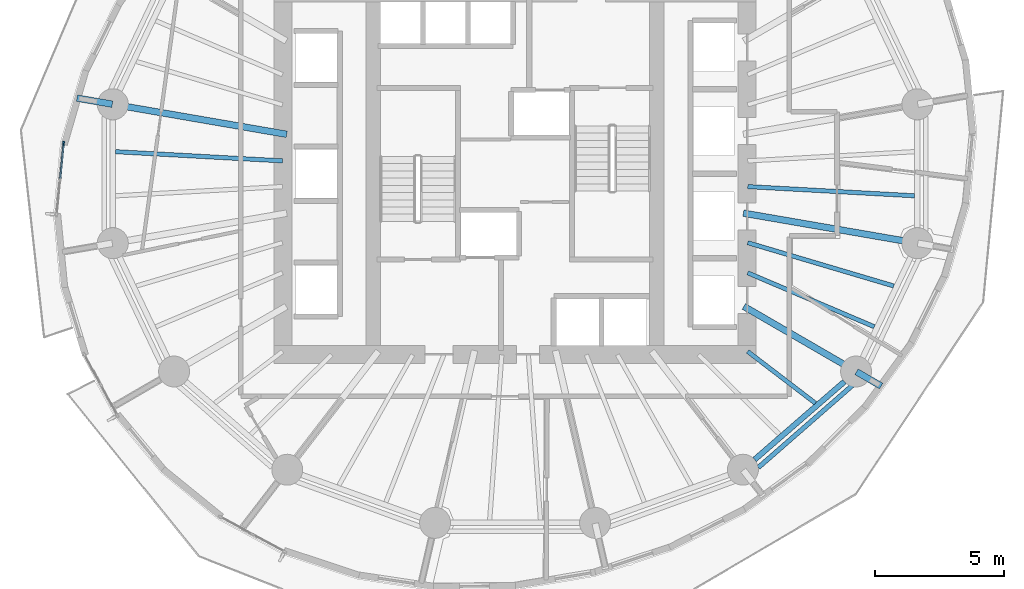
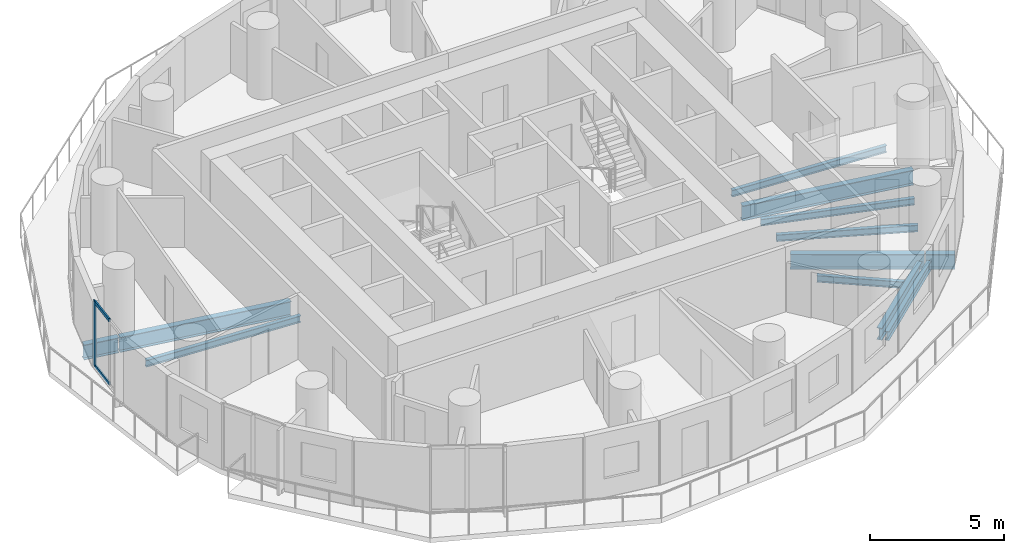
# One storey, part 3 of 14: 12 beams, 3 members, 1 element without a shape of its own.
"""IFC4 building model written with IfcOpenShell, lengths in metres."""

from ifc_helpers import new_model, si_unit, direction, frame, origin, origin_2d, place, context, subcontext, project, spatial, rectangle, i_section, extrude, material, material_profile, profile_set, type_object, element, aggregate, save


model = new_model("IFC4")

# Units and contexts
model_context = context("Model", 3, precision=1e-05, world=origin(), true_north=direction((0.0, 1.0)))
body_context = subcontext(model_context, "Body", "Model", "MODEL_VIEW")
ifc_project = project(units=[si_unit("LENGTHUNIT", "METRE"), si_unit("AREAUNIT", "SQUARE_METRE"), si_unit("VOLUMEUNIT", "CUBIC_METRE"), si_unit("PLANEANGLEUNIT", "RADIAN"), si_unit("MASSUNIT", "GRAM", prefix="KILO")], contexts=[model_context])

# Site, building, storey
site_placement = place(None, origin())
site = spatial("IfcSite", under=ifc_project, at=site_placement, CompositionType="ELEMENT")
building_placement = place(site_placement, origin())
building = spatial("IfcBuilding", under=site, at=building_placement, Name="Veldorim Arch Residences", CompositionType="ELEMENT")
storey_placement = place(building_placement, frame((0.0, 0.0, 96.47998046875)))
storey = spatial("IfcBuildingStorey", under=building, at=storey_placement, Name="L28", CompositionType="ELEMENT", Elevation=96.47998046875)

# Beams
ifc_material_1 = material(Name="Steel S355", Category="steel")
ifc_material_profile_1 = material_profile(ifc_material_1, i_section(OverallWidth=0.2119140625, OverallDepth=0.54443359375, WebThickness=0.0126953125, FlangeThickness=0.021240234375, at=origin_2d()), Name="UB533x210x122")
ifc_profile_set_1 = profile_set([ifc_material_profile_1], Name="Steel S355")
beam_type_1 = type_object("IfcBeamType", Name="Structural Steel Beam UB533x210x122", PredefinedType="BEAM", material=ifc_profile_set_1)
beam_1_placement = place(storey_placement, frame((41.28662109375, 12.9189453125, -0.51220703125), z_axis=(0.755244952556, 0.655442645576, 0.0), x_axis=(-0.655442645576, 0.755244952556, 0.0)))
element("IfcBeam", 1, at=beam_1_placement, inside=storey, type_object=beam_type_1, Name="L28 perimeter ring tie beam 14", PredefinedType="BEAM", context=body_context, shape_type="SweptSolid", body=[
    extrude(i_section(OverallWidth=0.2119140625, OverallDepth=0.54443359375, WebThickness=0.0126953125, FlangeThickness=0.021240234375, at=origin_2d()), origin(), (0.0, 0.0, 1.0), 4.608642578125),
])
ifc_material_2 = material(Name="Steel S355", Category="steel")
ifc_material_profile_2 = material_profile(ifc_material_2, i_section(OverallWidth=0.25439453125, OverallDepth=0.6875, WebThickness=0.01318359375, FlangeThickness=0.02099609375, at=origin_2d()), Name="UB686x254x152")
ifc_profile_set_2 = profile_set([ifc_material_profile_2], Name="Steel S355")
beam_type_2 = type_object("IfcBeamType", Name="Structural Steel GIRDER UB686x254x152", PredefinedType="USERDEFINED", material=ifc_profile_set_2)
beam_2_placement = place(storey_placement, frame((23.147705078125, 25.5283203125, -0.583740234375), z_axis=(-0.985426622718, 0.17010106184, 0.0), x_axis=(-0.17010106184, -0.985426622718, 0.0)))
element("IfcBeam", 2, at=beam_2_placement, inside=storey, type_object=beam_type_2, Name="L28 radial floor girder 08", ObjectType="GIRDER", PredefinedType="USERDEFINED", context=body_context, shape_type="SweptSolid", body=[
    extrude(i_section(OverallWidth=0.25439453125, OverallDepth=0.6875, WebThickness=0.01318359375, FlangeThickness=0.02099609375, at=origin_2d()), origin(), (0.0, 0.0, 1.0), 6.82177734375),
])
beam_3_placement = place(storey_placement, frame((16.3857421875, 26.695556640625, -0.583740234375), z_axis=(-0.985409418186, 0.170200700791, 0.0), x_axis=(-0.170200700791, -0.985409418186, 0.0)))
element("IfcBeam", 3, at=beam_3_placement, inside=storey, type_object=beam_type_2, Name="L28 radial edge cantilever girder 08", ObjectType="GIRDER", PredefinedType="USERDEFINED", context=body_context, shape_type="SweptSolid", body=[
    extrude(i_section(OverallWidth=0.25439453125, OverallDepth=0.6875, WebThickness=0.01318359375, FlangeThickness=0.02099609375, at=origin_2d()), origin(), (0.0, 0.0, 1.0), 1.391357421875),
])
beam_4_placement = place(storey_placement, frame((40.8701171875, 18.85595703125, -0.583740234375), z_axis=(0.865048957682, -0.501687453314, 0.0), x_axis=(0.501687453314, 0.865048957682, 0.0)))
element("IfcBeam", 4, at=beam_4_placement, inside=storey, type_object=beam_type_2, Name="L28 radial floor girder 15", ObjectType="GIRDER", PredefinedType="USERDEFINED", context=body_context, shape_type="SweptSolid", body=[
    extrude(i_section(OverallWidth=0.25439453125, OverallDepth=0.6875, WebThickness=0.01318359375, FlangeThickness=0.02099609375, at=origin_2d()), origin(), (0.0, 0.0, 1.0), 5.009033203125),
])
beam_5_placement = place(storey_placement, frame((45.23779296875, 16.322998046875, -0.583740234375), z_axis=(0.86508299699, -0.501628755474, 0.0), x_axis=(0.501628755474, 0.86508299699, 0.0)))
element("IfcBeam", 5, at=beam_5_placement, inside=storey, type_object=beam_type_2, Name="L28 radial edge cantilever girder 15", ObjectType="GIRDER", PredefinedType="USERDEFINED", context=body_context, shape_type="SweptSolid", body=[
    extrude(i_section(OverallWidth=0.25439453125, OverallDepth=0.6875, WebThickness=0.01318359375, FlangeThickness=0.02099609375, at=origin_2d()), origin(), (0.0, 0.0, 1.0), 1.104248046875),
])
beam_6_placement = place(storey_placement, frame((40.852294921875, 22.4716796875, -0.583740234375), z_axis=(0.985426622718, -0.17010106184, 0.0), x_axis=(0.17010106184, 0.985426622718, 0.0)))
element("IfcBeam", 6, at=beam_6_placement, inside=storey, type_object=beam_type_2, Name="L28 radial floor girder 16", ObjectType="GIRDER", PredefinedType="USERDEFINED", context=body_context, shape_type="SweptSolid", body=[
    extrude(i_section(OverallWidth=0.25439453125, OverallDepth=0.6875, WebThickness=0.01318359375, FlangeThickness=0.02099609375, at=origin_2d()), origin(), (0.0, 0.0, 1.0), 6.82177734375),
])
ifc_material_3 = material(Name="Steel S355", Category="steel")
ifc_material_profile_3 = material_profile(ifc_material_3, i_section(OverallWidth=0.165771484375, OverallDepth=0.306640625, WebThickness=0.006591796875, FlangeThickness=0.01171875, at=origin_2d()), Name="UB305x165x46")
ifc_profile_set_3 = profile_set([ifc_material_profile_3], Name="Steel S355")
beam_type_3 = type_object("IfcBeamType", Name="Structural Steel Joist UB305x165x46", PredefinedType="JOIST", material=ifc_profile_set_3)
beam_7_placement = place(storey_placement, frame((22.97998046875, 24.498291015625, -0.393310546875), z_axis=(-0.99847713097, 0.055167190702, 0.0), x_axis=(-0.055167190702, -0.99847713097, 0.0)))
element("IfcBeam", 7, at=beam_7_placement, inside=storey, type_object=beam_type_3, Name="L28 secondary radial floor joist 08-1", PredefinedType="JOIST", context=body_context, shape_type="SweptSolid", body=[
    extrude(i_section(OverallWidth=0.165771484375, OverallDepth=0.306640625, WebThickness=0.006591796875, FlangeThickness=0.01171875, at=origin_2d()), origin(), (0.0, 0.0, 1.0), 6.474365234375),
])
beam_8_placement = place(storey_placement, frame((41.015869140625, 17.111572265625, -0.393310546875), z_axis=(0.794594763594, -0.60714014994, 0.0), x_axis=(0.60714014994, 0.794594763594, 0.0)))
element("IfcBeam", 8, at=beam_8_placement, inside=storey, type_object=beam_type_3, Name="L28 secondary radial floor joist 14-2", PredefinedType="JOIST", context=body_context, shape_type="SweptSolid", body=[
    extrude(i_section(OverallWidth=0.165771484375, OverallDepth=0.306640625, WebThickness=0.006591796875, FlangeThickness=0.01171875, at=origin_2d()), origin(), (0.0, 0.0, 1.0), 3.30419921875),
])
beam_9_placement = place(storey_placement, frame((41.018310546875, 20.158447265625, -0.393310546875), z_axis=(0.919997395122, -0.391924473552, 0.0), x_axis=(0.391924473552, 0.919997395122, 0.0)))
element("IfcBeam", 9, at=beam_9_placement, inside=storey, type_object=beam_type_3, Name="L28 secondary radial floor joist 15-1", PredefinedType="JOIST", context=body_context, shape_type="SweptSolid", body=[
    extrude(i_section(OverallWidth=0.165771484375, OverallDepth=0.306640625, WebThickness=0.006591796875, FlangeThickness=0.01171875, at=origin_2d()), origin(), (0.0, 0.0, 1.0), 5.334716796875),
])
beam_10_placement = place(storey_placement, frame((41.019287109375, 21.326416015625, -0.393310546875), z_axis=(0.958753061488, -0.284240333324, 0.0), x_axis=(0.284240333324, 0.958753061488, 0.0)))
element("IfcBeam", 10, at=beam_10_placement, inside=storey, type_object=beam_type_3, Name="L28 secondary radial floor joist 15-2", PredefinedType="JOIST", context=body_context, shape_type="SweptSolid", body=[
    extrude(i_section(OverallWidth=0.165771484375, OverallDepth=0.306640625, WebThickness=0.006591796875, FlangeThickness=0.01171875, at=origin_2d()), origin(), (0.0, 0.0, 1.0), 5.906005859375),
])
beam_11_placement = place(storey_placement, frame((41.02001953125, 23.501708984375, -0.393310546875), z_axis=(0.99847713097, -0.055167190702, 0.0), x_axis=(0.055167190702, 0.99847713097, 0.0)))
element("IfcBeam", 11, at=beam_11_placement, inside=storey, type_object=beam_type_3, Name="L28 secondary radial floor joist 16-1", PredefinedType="JOIST", context=body_context, shape_type="SweptSolid", body=[
    extrude(i_section(OverallWidth=0.165771484375, OverallDepth=0.306640625, WebThickness=0.006591796875, FlangeThickness=0.01171875, at=origin_2d()), origin(), (0.0, 0.0, 1.0), 6.474365234375),
])
ifc_material_4 = material(Name="Steel S355", Category="steel")
ifc_material_profile_4 = material_profile(ifc_material_4, i_section(OverallWidth=0.1787109375, OverallDepth=0.409423828125, WebThickness=0.0087890625, FlangeThickness=0.014404296875, at=origin_2d()), Name="UB406x178x67")
ifc_profile_set_4 = profile_set([ifc_material_profile_4], Name="Steel S355")
beam_type_4 = type_object("IfcBeamType", Name="Structural Steel Spandrel UB406x178x67", PredefinedType="SPANDREL", material=ifc_profile_set_4)
beam_12_placement = place(storey_placement, frame((41.4326171875, 12.611572265625, -0.464599609375), z_axis=(0.753323239074, 0.65765043714, 0.0), x_axis=(-0.65765043714, 0.753323239074, 0.0)))
element("IfcBeam", 12, at=beam_12_placement, inside=storey, type_object=beam_type_4, Name="L28 perimeter chord spandrel beam 14", PredefinedType="SPANDREL", context=body_context, shape_type="SweptSolid", body=[
    extrude(i_section(OverallWidth=0.1787109375, OverallDepth=0.409423828125, WebThickness=0.0087890625, FlangeThickness=0.014404296875, at=origin_2d()), origin(), (0.0, 0.0, 1.0), 4.879150390625),
])

# Curtain wall, members
ifc_material_5 = material(Name="Aluminium", Category="aluminium")
curtain_wall_type = type_object("IfcCurtainWallType", Name="Zone 2 Solar-Control Unitised Curtain Wall", PredefinedType="NOTDEFINED", material=ifc_material_5)
curtain_wall_placement = place(storey_placement, origin())
curtain_wall = element("IfcCurtainWall", 13, at=curtain_wall_placement, inside=storey, type_object=curtain_wall_type, Name="L28 unitised curtain wall bay 16", PredefinedType="NOTDEFINED")
ifc_material_6 = material(Name="Aluminium", Category="aluminium")
ifc_material_profile_5 = material_profile(ifc_material_6, rectangle(XDim=0.06494140625, YDim=0.1650390625, at=origin_2d()), Name="ALU_MUL_65x165")
ifc_profile_set_5 = profile_set([ifc_material_profile_5], Name="Aluminium")
member_type_1 = type_object("IfcMemberType", Name="Zone 2 Solar-Control Unitised Curtain Wall Mullion 65x165", PredefinedType="MULLION", material=ifc_profile_set_5)
member_1_placement = place(storey_placement, frame((14.49755859375, 25.170654296875, 0.0), z_axis=(0.0, 0.0, 1.0), x_axis=(-0.995292751709, 0.096914077387, 0.0)))
member_1 = element("IfcMember", 14, at=member_1_placement, type_object=member_type_1, Name="CW-Z2 mullion 3", PredefinedType="MULLION", context=body_context, shape_type="SweptSolid", body=[
    extrude(rectangle(XDim=0.06494140625, YDim=0.1650390625, at=origin_2d()), origin(), (0.0, 0.0, 1.0), 2.9599609375),
])
ifc_material_7 = material(Name="Aluminium", Category="aluminium")
ifc_material_profile_6 = material_profile(ifc_material_7, rectangle(XDim=0.06494140625, YDim=0.14501953125, at=origin_2d()), Name="ALU_TRN_65x145")
ifc_profile_set_6 = profile_set([ifc_material_profile_6], Name="Aluminium")
member_type_2 = type_object("IfcMemberType", Name="Zone 2 Solar-Control Unitised Curtain Wall Transom 65x145", PredefinedType="USERDEFINED", material=ifc_profile_set_6)
member_2_placement = place(storey_placement, frame((14.366455078125, 23.8251953125, 0.032470703125), z_axis=(0.096956909459, 0.995288580115, 0.0), x_axis=(-0.995288580115, 0.096956909459, 0.0)))
member_2 = element("IfcMember", 15, at=member_2_placement, type_object=member_type_2, Name="CW-Z2 transom 2.1", ObjectType="TRANSOM", PredefinedType="USERDEFINED", context=body_context, shape_type="SweptSolid", body=[
    extrude(rectangle(XDim=0.06494140625, YDim=0.14501953125, at=origin_2d()), origin(), (0.0, 0.0, 1.0), 1.3193359375),
])
member_3_placement = place(storey_placement, frame((14.366455078125, 23.8251953125, 2.927490234375), z_axis=(0.096956909459, 0.995288580115, 0.0), x_axis=(-0.995288580115, 0.096956909459, 0.0)))
member_3 = element("IfcMember", 16, at=member_3_placement, type_object=member_type_2, Name="CW-Z2 transom 2.2", ObjectType="TRANSOM", PredefinedType="USERDEFINED", context=body_context, shape_type="SweptSolid", body=[
    extrude(rectangle(XDim=0.06494140625, YDim=0.14501953125, at=origin_2d()), origin(), (0.0, 0.0, 1.0), 1.3193359375),
])
aggregate(curtain_wall, [member_1, member_2, member_3])

save(model, "model.ifc")
